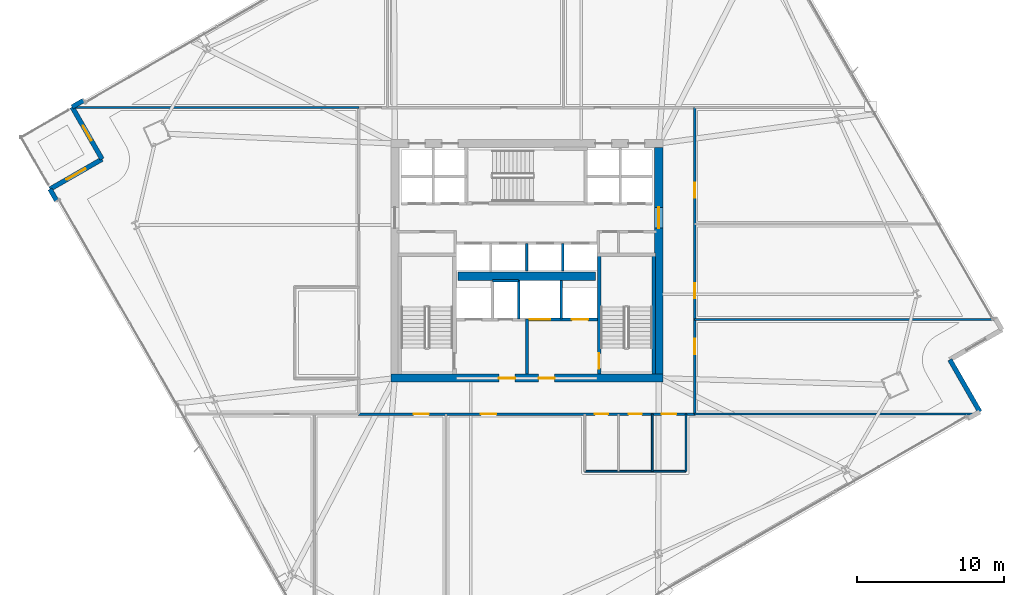
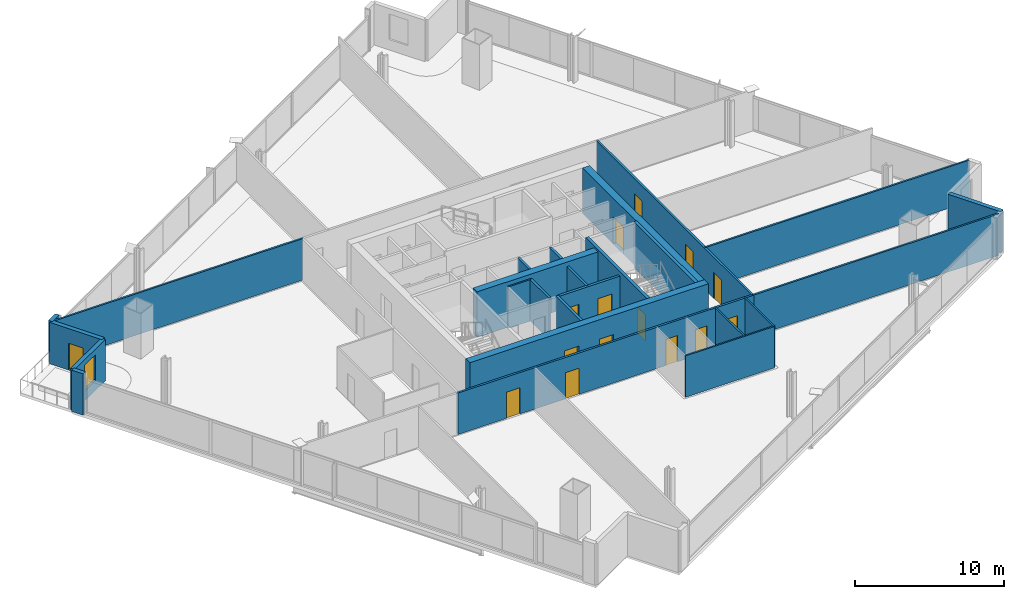
# One storey, part 24 of 33: 25 walls, 15 doors, 1 window, 16 openings.
"""IFC4 building model written with IfcOpenShell, lengths in metres."""

from ifc_helpers import new_model, si_unit, direction, frame, frame_2d, origin, place, context, subcontext, project, spatial, rectangle, extrude, material, layer, layer_set, type_object, element, fill, save


model = new_model("IFC4")

# Units and contexts
model_context = context("Model", 3, precision=1e-05, world=origin(), true_north=direction((0.0, 1.0)))
body_context = subcontext(model_context, "Body", "Model", "MODEL_VIEW")
ifc_project = project(units=[si_unit("LENGTHUNIT", "METRE"), si_unit("AREAUNIT", "SQUARE_METRE"), si_unit("VOLUMEUNIT", "CUBIC_METRE"), si_unit("PLANEANGLEUNIT", "RADIAN"), si_unit("MASSUNIT", "GRAM", prefix="KILO")], contexts=[model_context])

# Site, building, storey
site_placement = place(None, origin())
site = spatial("IfcSite", under=ifc_project, at=site_placement, CompositionType="ELEMENT")
building_placement = place(site_placement, origin())
building = spatial("IfcBuilding", under=site, at=building_placement, Name="Haldenkirk Collegiate Tower", CompositionType="ELEMENT")
storey_placement = place(building_placement, frame((0.0, 0.0, 127.949951171875)))
storey = spatial("IfcBuildingStorey", under=building, at=storey_placement, Name="L31", CompositionType="ELEMENT", Elevation=127.949951171875)

# Wall, openings, doors
ifc_material_1 = material(Name="Concrete f'c 70 MPa", Category="concrete")
ifc_layer_1 = layer(ifc_material_1, 0.550048828125)
ifc_layer_set_1 = layer_set([ifc_layer_1], Name="Concrete f'c 70 MPa")
wall_type_1 = type_object("IfcWallType", Name="WL-CORE-550", PredefinedType="SHEAR", material=ifc_layer_set_1)
wall_1_placement = place(storey_placement, frame((26.72509765625, 18.0, 0.0), z_axis=(0.0, 0.0, 1.0), x_axis=(1.0, 0.0, 0.0)))
wall_1 = element("IfcWall", 1, at=wall_1_placement, inside=storey, type_object=wall_type_1, Name="L31 central core shear wall S", PredefinedType="SHEAR", context=body_context, shape_type="SweptSolid", body=[
    extrude(rectangle(XDim=18.5498046875, YDim=0.550048828125, at=frame_2d((9.27490234375, 0.0))), origin(), (0.0, 0.0, 1.0), 3.75),
])
opening_1_placement = place(wall_1_placement, frame((7.375, 0.0, 0.0)))
opening_1 = element("IfcOpeningElement", 2, at=opening_1_placement, cuts=wall_1, Name="Opening D-02", PredefinedType="OPENING", context=body_context, shape_type="SweptSolid", body=[
    extrude(rectangle(XDim=1.10009765625, YDim=2.14990234375, at=frame_2d((0.550048828125, 1.074951171875))), frame((0.0, 0.284912109375, 0.0), z_axis=(0.0, -1.0, 0.0), x_axis=(1.0, 0.0, 0.0)), (0.0, 0.0, 1.0), 0.570068359375),
])
opening_2_placement = place(wall_1_placement, frame((10.074951171875, 0.0, 0.0)))
opening_2 = element("IfcOpeningElement", 3, at=opening_2_placement, cuts=wall_1, Name="Opening D-02", PredefinedType="OPENING", context=body_context, shape_type="SweptSolid", body=[
    extrude(rectangle(XDim=1.10009765625, YDim=2.14990234375, at=frame_2d((0.550048828125, 1.074951171875))), frame((0.0, 0.284912109375, 0.0), z_axis=(0.0, -1.0, 0.0), x_axis=(1.0, 0.0, 0.0)), (0.0, 0.0, 1.0), 0.570068359375),
])
ifc_material_2 = material(Name="Galvanized fire-rated hollow steel door", Category="steel")
ifc_layer_2 = layer(ifc_material_2, 0.06005859375)
ifc_layer_set_2 = layer_set([ifc_layer_2], Name="Galvanized fire-rated hollow steel door")
door_type_1 = type_object("IfcDoorType", Name="DR-STAIR-FD90-1100", OperationType="NOTDEFINED", PredefinedType="DOOR", material=ifc_layer_set_2)
door_1_placement = place(opening_1_placement, origin())
door_1 = element("IfcDoor", 4, at=door_1_placement, inside=storey, type_object=door_type_1, Name="L31 Firefighting Lobby 1 door", OperationType="SINGLE_SWING_RIGHT", OverallHeight=2.14990234375, OverallWidth=1.10009765625, PredefinedType="DOOR", context=body_context, shape_type="SweptSolid", body=[
    extrude(rectangle(XDim=1.10009765625, YDim=2.14990234375, at=frame_2d((0.550048828125, 1.074951171875))), frame((0.0, 0.02490234375, 0.0), z_axis=(0.0, -1.0, 0.0), x_axis=(1.0, 0.0, 0.0)), (0.0, 0.0, 1.0), 0.050048828125),
])
fill(opening_1, door_1)
door_2_placement = place(opening_2_placement, origin())
door_2 = element("IfcDoor", 5, at=door_2_placement, inside=storey, type_object=door_type_1, Name="L31 Firefighting Lobby 2 door", OperationType="SINGLE_SWING_LEFT", OverallHeight=2.14990234375, OverallWidth=1.10009765625, PredefinedType="DOOR", context=body_context, shape_type="SweptSolid", body=[
    extrude(rectangle(XDim=1.10009765625, YDim=2.14990234375, at=frame_2d((0.550048828125, 1.074951171875))), frame((0.0, 0.02490234375, 0.0), z_axis=(0.0, -1.0, 0.0), x_axis=(1.0, 0.0, 0.0)), (0.0, 0.0, 1.0), 0.050048828125),
])
fill(opening_2, door_2)

# Wall, opening, door
wall_2_placement = place(storey_placement, frame((45.0, 18.27490234375, 0.0), z_axis=(0.0, 0.0, 1.0), x_axis=(0.0, 1.0, 0.0)))
wall_2 = element("IfcWall", 6, at=wall_2_placement, inside=storey, type_object=wall_type_1, Name="L31 central core shear wall E", PredefinedType="SHEAR", context=body_context, shape_type="SweptSolid", body=[
    extrude(rectangle(XDim=15.4501953125, YDim=0.550048828125, at=frame_2d((7.72509765625, 0.0))), origin(), (0.0, 0.0, 1.0), 3.75),
])
opening_3_placement = place(wall_2_placement, frame((9.965087890625, 0.0, 0.0)))
opening_3 = element("IfcOpeningElement", 7, at=opening_3_placement, cuts=wall_2, Name="Opening D-03", PredefinedType="OPENING", context=body_context, shape_type="SweptSolid", body=[
    extrude(rectangle(XDim=1.39990234375, YDim=2.199951171875, at=frame_2d((0.699951171875, 1.10009765625))), frame((0.0, 0.284912109375, 0.0), z_axis=(0.0, -1.0, 0.0), x_axis=(1.0, 0.0, 0.0)), (0.0, 0.0, 1.0), 0.570068359375),
])
ifc_layer_3 = layer(ifc_material_2, 0.06005859375)
ifc_layer_set_3 = layer_set([ifc_layer_3], Name="Galvanized fire-rated hollow steel door")
door_type_2 = type_object("IfcDoorType", Name="DR-LOBBY-FD90-1400", OperationType="NOTDEFINED", PredefinedType="DOOR", material=ifc_layer_set_3)
door_3_placement = place(opening_3_placement, origin())
door_3 = element("IfcDoor", 8, at=door_3_placement, inside=storey, type_object=door_type_2, Name="L31 east lift lobby portal", OperationType="DOUBLE_DOOR_SINGLE_SWING", OverallHeight=2.199951171875, OverallWidth=1.39990234375, PredefinedType="DOOR", context=body_context, shape_type="SweptSolid", body=[
    extrude(rectangle(XDim=1.39990234375, YDim=2.199951171875, at=frame_2d((0.699951171875, 1.10009765625))), frame((0.0, 0.02490234375, 0.0), z_axis=(0.0, -1.0, 0.0), x_axis=(1.0, 0.0, 0.0)), (0.0, 0.0, 1.0), 0.050048828125),
])
fill(opening_3, door_3)

# Walls
wall_3_placement = place(storey_placement, frame((31.31005859375, 24.949951171875, 0.0), z_axis=(0.0, 0.0, 1.0), x_axis=(1.0, 0.0, 0.0)))
element("IfcWall", 9, at=wall_3_placement, inside=storey, type_object=wall_type_1, Name="L31 central core spine shear wall", PredefinedType="SHEAR", context=body_context, shape_type="SweptSolid", body=[
    extrude(rectangle(XDim=9.3798828125, YDim=0.550048828125, at=frame_2d((4.68994140625, 0.0))), origin(), (0.0, 0.0, 1.0), 3.75),
])
ifc_material_3 = material(Name="Precast concrete f'c 40 MPa", Category="concrete")
ifc_layer_4 = layer(ifc_material_3, 0.320068359375)
ifc_layer_set_4 = layer_set([ifc_layer_4], Name="Precast concrete f'c 40 MPa")
wall_type_2 = type_object("IfcWallType", Name="WL-EXT-TWR-320", PredefinedType="STANDARD", material=ifc_layer_set_4)
wall_4_placement = place(storey_placement, frame((64.85009765625, 19.25927734375, 0.0), z_axis=(0.0, 0.0, 1.0), x_axis=(0.498522586698, -0.866876710122, 0.0)))
element("IfcWall", 10, at=wall_4_placement, inside=storey, type_object=wall_type_2, Name="L31 bronze precast notch wall 02", PredefinedType="STANDARD", context=body_context, shape_type="SweptSolid", body=[
    extrude(rectangle(XDim=4.10009765625, YDim=0.320068359375, at=frame_2d((2.050048828125, 0.0))), origin(), (0.0, 0.0, 1.0), 3.400146484375),
])
wall_5_placement = place(storey_placement, frame((4.993896484375, 36.489990234375, 0.0), z_axis=(0.0, 0.0, 1.0), x_axis=(0.866803702948, 0.498649516751, 0.0)))
element("IfcWall", 11, at=wall_5_placement, inside=storey, type_object=wall_type_2, Name="L31 precast corner pier NL", PredefinedType="STANDARD", context=body_context, shape_type="SweptSolid", body=[
    extrude(rectangle(XDim=0.89990234375, YDim=0.320068359375, at=frame_2d((0.449951171875, 0.0))), origin(), (0.0, 0.0, 1.0), 3.400146484375),
])

# Wall, opening, door
wall_6_placement = place(storey_placement, frame((7.03759765625, 32.935791015625, 0.0), z_axis=(0.0, 0.0, 1.0), x_axis=(-0.498477837049, 0.866902443168, 0.0)))
wall_6 = element("IfcWall", 12, at=wall_6_placement, inside=storey, type_object=wall_type_2, Name="L31 bronze precast notch wall 08", PredefinedType="STANDARD", context=body_context, shape_type="SweptSolid", body=[
    extrude(rectangle(XDim=4.099853515625, YDim=0.320068359375, at=frame_2d((2.0498046875, 0.0))), origin(), (0.0, 0.0, 1.0), 3.400146484375),
])
opening_4_placement = place(wall_6_placement, frame((1.47509765625, 0.0, 0.0)))
opening_4 = element("IfcOpeningElement", 13, at=opening_4_placement, cuts=wall_6, Name="Opening D-ST11", PredefinedType="OPENING", context=body_context, shape_type="SweptSolid", body=[
    extrude(rectangle(XDim=1.14990234375, YDim=2.199951171875, at=frame_2d((0.574951171875, 1.10009765625))), frame((0.0, 0.169921875, 0.0), z_axis=(0.0, -1.0, 0.0), x_axis=(1.0, 0.0, 0.0)), (0.0, 0.0, 1.0), 0.340087890625),
])
ifc_material_4 = material(Name="Anodised architectural bronze aluminium", Category="aluminium")
ifc_layer_5 = layer(ifc_material_4, 0.080078125)
ifc_layer_set_5 = layer_set([ifc_layer_5], Name="Anodised architectural bronze aluminium")
door_type_3 = type_object("IfcDoorType", Name="DR-EXT-STER-1150", OperationType="NOTDEFINED", PredefinedType="DOOR", material=ifc_layer_set_5)
door_4_placement = place(opening_4_placement, origin())
door_4 = element("IfcDoor", 14, at=door_4_placement, inside=storey, type_object=door_type_3, Name="L31 spiralling terrace door", OperationType="SINGLE_SWING_RIGHT", OverallHeight=2.199951171875, OverallWidth=1.14990234375, PredefinedType="DOOR", context=body_context, shape_type="SweptSolid", body=[
    extrude(rectangle(XDim=1.14990234375, YDim=2.199951171875, at=frame_2d((0.574951171875, 1.10009765625))), frame((0.0, 0.02490234375, 0.0), z_axis=(0.0, -1.0, 0.0), x_axis=(1.0, 0.0, 0.0)), (0.0, 0.0, 1.0), 0.050048828125),
])
fill(opening_4, door_4)

# Wall, opening, window
wall_7_placement = place(storey_placement, frame((3.4833984375, 30.89208984375, 0.0), z_axis=(0.0, 0.0, 1.0), x_axis=(0.866902443168, 0.498477837049, 0.0)))
wall_7 = element("IfcWall", 15, at=wall_7_placement, inside=storey, type_object=wall_type_2, Name="L31 bronze precast notch wall 09", PredefinedType="STANDARD", context=body_context, shape_type="SweptSolid", body=[
    extrude(rectangle(XDim=4.099853515625, YDim=0.320068359375, at=frame_2d((2.0498046875, 0.0))), origin(), (0.0, 0.0, 1.0), 3.400146484375),
])
opening_5_placement = place(wall_7_placement, frame((1.300048828125, 0.0, 0.85009765625)))
opening_5 = element("IfcOpeningElement", 16, at=opening_5_placement, cuts=wall_7, Name="Opening W-04", PredefinedType="OPENING", context=body_context, shape_type="SweptSolid", body=[
    extrude(rectangle(XDim=1.5, YDim=2.10009765625, at=frame_2d((0.75, 1.050048828125))), frame((0.0, 0.169921875, 0.0), z_axis=(0.0, -1.0, 0.0), x_axis=(1.0, 0.0, 0.0)), (0.0, 0.0, 1.0), 0.340087890625),
])
ifc_material_5 = material(Name="Low-E argon triple insulating glass", Category="glass")
ifc_layer_6 = layer(ifc_material_5, 0.090087890625)
ifc_layer_set_6 = layer_set([ifc_layer_6], Name="Low-E argon triple insulating glass")
window_type = type_object("IfcWindowType", Name="WN-Z2-1500X2100", PartitioningType="SINGLE_PANEL", PredefinedType="WINDOW", material=ifc_layer_set_6)
window_placement = place(opening_5_placement, origin())
window = element("IfcWindow", 17, at=window_placement, inside=storey, type_object=window_type, Name="L31 precast-frame academic window 8", OverallHeight=2.10009765625, OverallWidth=1.5, PartitioningType="SINGLE_PANEL", PredefinedType="WINDOW", context=body_context, shape_type="SweptSolid", body=[
    extrude(rectangle(XDim=1.5, YDim=2.10009765625, at=frame_2d((0.75, 1.050048828125))), frame((0.0, 0.030029296875, 0.0), z_axis=(0.0, -1.0, 0.0), x_axis=(1.0, 0.0, 0.0)), (0.0, 0.0, 1.0), 0.06005859375),
])
fill(opening_5, window)

# Wall
wall_8_placement = place(storey_placement, frame((3.931884765625, 30.11181640625, 0.0), z_axis=(0.0, 0.0, 1.0), x_axis=(-0.498328409329, 0.866988348512, 0.0)))
element("IfcWall", 18, at=wall_8_placement, inside=storey, type_object=wall_type_2, Name="L31 precast corner pier WR", PredefinedType="STANDARD", context=body_context, shape_type="SweptSolid", body=[
    extrude(rectangle(XDim=0.89990234375, YDim=0.320068359375, at=frame_2d((0.449951171875, 0.0))), origin(), (0.0, 0.0, 1.0), 3.400146484375),
])

# Wall, openings, doors
ifc_material_6 = material(Name="Acoustic fire-rated gypsum partition", Category="concrete")
ifc_layer_7 = layer(ifc_material_6, 0.159912109375)
ifc_layer_set_7 = layer_set([ifc_layer_7], Name="Acoustic fire-rated gypsum partition")
wall_type_3 = type_object("IfcWallType", Name="WL-INT-CORR-160", PredefinedType="PARTITIONING", material=ifc_layer_set_7)
wall_9_placement = place(storey_placement, frame((24.5, 15.550048828125, 0.0), z_axis=(0.0, 0.0, 1.0), x_axis=(1.0, 0.0, 0.0)))
wall_9 = element("IfcWall", 19, at=wall_9_placement, inside=storey, type_object=wall_type_3, Name="L31 interior partition IW-L31-CS", PredefinedType="PARTITIONING", context=body_context, shape_type="SweptSolid", body=[
    extrude(rectangle(XDim=23.0, YDim=0.159912109375, at=frame_2d((11.5, 0.0))), origin(), (0.0, 0.0, 1.0), 3.400146484375),
])
opening_6_placement = place(wall_9_placement, frame((16.14990234375, 0.0, 0.0)))
opening_6 = element("IfcOpeningElement", 20, at=opening_6_placement, cuts=wall_9, Name="Opening D-13", PredefinedType="OPENING", context=body_context, shape_type="SweptSolid", body=[
    extrude(rectangle(XDim=0.89990234375, YDim=2.14990234375, at=frame_2d((0.449951171875, 1.074951171875))), frame((0.0, 0.08984375, 0.0), z_axis=(0.0, -1.0, 0.0), x_axis=(1.0, 0.0, 0.0)), (0.0, 0.0, 1.0), 0.179931640625),
])
opening_7_placement = place(wall_9_placement, frame((18.449951171875, 0.0, 0.0)))
opening_7 = element("IfcOpeningElement", 21, at=opening_7_placement, cuts=wall_9, Name="Opening D-13", PredefinedType="OPENING", context=body_context, shape_type="SweptSolid", body=[
    extrude(rectangle(XDim=0.89990234375, YDim=2.14990234375, at=frame_2d((0.449951171875, 1.074951171875))), frame((0.0, 0.08984375, 0.0), z_axis=(0.0, -1.0, 0.0), x_axis=(1.0, 0.0, 0.0)), (0.0, 0.0, 1.0), 0.179931640625),
])
opening_8_placement = place(wall_9_placement, frame((20.699951171875, 0.0, 0.0)))
opening_8 = element("IfcOpeningElement", 22, at=opening_8_placement, cuts=wall_9, Name="Opening D-14", PredefinedType="OPENING", context=body_context, shape_type="SweptSolid", body=[
    extrude(rectangle(XDim=1.0, YDim=2.14990234375, at=frame_2d((0.5, 1.074951171875))), frame((0.0, 0.08984375, 0.0), z_axis=(0.0, -1.0, 0.0), x_axis=(1.0, 0.0, 0.0)), (0.0, 0.0, 1.0), 0.179931640625),
])
opening_9_placement = place(wall_9_placement, frame((3.781005859375, 0.0, 0.0)))
opening_9 = element("IfcOpeningElement", 23, at=opening_9_placement, cuts=wall_9, Name="Opening D-09", PredefinedType="OPENING", context=body_context, shape_type="SweptSolid", body=[
    extrude(rectangle(XDim=1.050048828125, YDim=2.14990234375, at=frame_2d((0.52490234375, 1.074951171875))), frame((0.0, 0.08984375, 0.0), z_axis=(0.0, -1.0, 0.0), x_axis=(1.0, 0.0, 0.0)), (0.0, 0.0, 1.0), 0.179931640625),
])
opening_10_placement = place(wall_9_placement, frame((8.373046875, 0.0, 0.0)))
opening_10 = element("IfcOpeningElement", 24, at=opening_10_placement, cuts=wall_9, Name="Opening D-09", PredefinedType="OPENING", context=body_context, shape_type="SweptSolid", body=[
    extrude(rectangle(XDim=1.050048828125, YDim=2.14990234375, at=frame_2d((0.52490234375, 1.074951171875))), frame((0.0, 0.08984375, 0.0), z_axis=(0.0, -1.0, 0.0), x_axis=(1.0, 0.0, 0.0)), (0.0, 0.0, 1.0), 0.179931640625),
])
ifc_material_7 = material(Name="Solid-core architectural oak fire door", Category="wood")
ifc_layer_8 = layer(ifc_material_7, 0.06005859375)
ifc_layer_set_8 = layer_set([ifc_layer_8], Name="Solid-core architectural oak fire door")
door_type_4 = type_object("IfcDoorType", Name="DR-INT-ACC-1000", OperationType="NOTDEFINED", PredefinedType="DOOR", material=ifc_layer_set_8)
door_5_placement = place(opening_8_placement, origin())
door_5 = element("IfcDoor", 25, at=door_5_placement, inside=storey, type_object=door_type_4, Name="L31 Accessible WC door", OperationType="SINGLE_SWING_LEFT", OverallHeight=2.14990234375, OverallWidth=1.0, PredefinedType="DOOR", context=body_context, shape_type="SweptSolid", body=[
    extrude(rectangle(XDim=1.0, YDim=2.14990234375, at=frame_2d((0.5, 1.074951171875))), frame((0.0, 0.02490234375, 0.0), z_axis=(0.0, -1.0, 0.0), x_axis=(1.0, 0.0, 0.0)), (0.0, 0.0, 1.0), 0.050048828125),
])
fill(opening_8, door_5)
ifc_layer_9 = layer(ifc_material_7, 0.06005859375)
ifc_layer_set_9 = layer_set([ifc_layer_9], Name="Solid-core architectural oak fire door")
door_type_5 = type_object("IfcDoorType", Name="DR-INT-FD60-1050", OperationType="NOTDEFINED", PredefinedType="DOOR", material=ifc_layer_set_9)
door_6_placement = place(opening_9_placement, origin())
door_6 = element("IfcDoor", 26, at=door_6_placement, inside=storey, type_object=door_type_5, Name="L31 Academic Counseling Clinic 2 door", OperationType="SINGLE_SWING_LEFT", OverallHeight=2.14990234375, OverallWidth=1.050048828125, PredefinedType="DOOR", context=body_context, shape_type="SweptSolid", body=[
    extrude(rectangle(XDim=1.050048828125, YDim=2.14990234375, at=frame_2d((0.52490234375, 1.074951171875))), frame((0.0, 0.02490234375, 0.0), z_axis=(0.0, -1.0, 0.0), x_axis=(1.0, 0.0, 0.0)), (0.0, 0.0, 1.0), 0.050048828125),
])
fill(opening_9, door_6)
door_7_placement = place(opening_10_placement, origin())
door_7 = element("IfcDoor", 27, at=door_7_placement, inside=storey, type_object=door_type_5, Name="L31 Ergonomics Clinic 3 door", OperationType="SINGLE_SWING_RIGHT", OverallHeight=2.14990234375, OverallWidth=1.050048828125, PredefinedType="DOOR", context=body_context, shape_type="SweptSolid", body=[
    extrude(rectangle(XDim=1.050048828125, YDim=2.14990234375, at=frame_2d((0.52490234375, 1.074951171875))), frame((0.0, 0.02490234375, 0.0), z_axis=(0.0, -1.0, 0.0), x_axis=(1.0, 0.0, 0.0)), (0.0, 0.0, 1.0), 0.050048828125),
])
fill(opening_10, door_7)
ifc_layer_10 = layer(ifc_material_7, 0.06005859375)
ifc_layer_set_10 = layer_set([ifc_layer_10], Name="Solid-core architectural oak fire door")
door_type_6 = type_object("IfcDoorType", Name="DR-INT-STD-900", OperationType="NOTDEFINED", PredefinedType="DOOR", material=ifc_layer_set_10)
door_8_placement = place(opening_6_placement, origin())
door_8 = element("IfcDoor", 28, at=door_8_placement, inside=storey, type_object=door_type_6, Name="L31 Male WC door", OperationType="SINGLE_SWING_LEFT", OverallHeight=2.14990234375, OverallWidth=0.89990234375, PredefinedType="DOOR", context=body_context, shape_type="SweptSolid", body=[
    extrude(rectangle(XDim=0.89990234375, YDim=2.14990234375, at=frame_2d((0.449951171875, 1.074951171875))), frame((0.0, 0.02490234375, 0.0), z_axis=(0.0, -1.0, 0.0), x_axis=(1.0, 0.0, 0.0)), (0.0, 0.0, 1.0), 0.050048828125),
])
fill(opening_6, door_8)
door_9_placement = place(opening_7_placement, origin())
door_9 = element("IfcDoor", 29, at=door_9_placement, inside=storey, type_object=door_type_6, Name="L31 Female WC door", OperationType="SINGLE_SWING_RIGHT", OverallHeight=2.14990234375, OverallWidth=0.89990234375, PredefinedType="DOOR", context=body_context, shape_type="SweptSolid", body=[
    extrude(rectangle(XDim=0.89990234375, YDim=2.14990234375, at=frame_2d((0.449951171875, 1.074951171875))), frame((0.0, 0.02490234375, 0.0), z_axis=(0.0, -1.0, 0.0), x_axis=(1.0, 0.0, 0.0)), (0.0, 0.0, 1.0), 0.050048828125),
])
fill(opening_7, door_9)

wall_10_placement = place(storey_placement, frame((47.449951171875, 15.550048828125, 0.0), z_axis=(0.0, 0.0, 1.0), x_axis=(0.0, 1.0, 0.0)))
wall_10 = element("IfcWall", 30, at=wall_10_placement, inside=storey, type_object=wall_type_3, Name="L31 interior partition IW-L31-CE", PredefinedType="PARTITIONING", context=body_context, shape_type="SweptSolid", body=[
    extrude(rectangle(XDim=20.89990234375, YDim=0.159912109375, at=frame_2d((10.449951171875, 0.0))), origin(), (0.0, 0.0, 1.0), 3.400146484375),
])
opening_11_placement = place(wall_10_placement, frame((4.0869140625, 0.0, 0.0)))
opening_11 = element("IfcOpeningElement", 31, at=opening_11_placement, cuts=wall_10, Name="Opening D-09", PredefinedType="OPENING", context=body_context, shape_type="SweptSolid", body=[
    extrude(rectangle(XDim=1.050048828125, YDim=2.14990234375, at=frame_2d((0.52490234375, 1.074951171875))), frame((0.0, 0.08984375, 0.0), z_axis=(0.0, -1.0, 0.0), x_axis=(1.0, 0.0, 0.0)), (0.0, 0.0, 1.0), 0.179931640625),
])
opening_12_placement = place(wall_10_placement, frame((7.885009765625, 0.0, 0.0)))
opening_12 = element("IfcOpeningElement", 32, at=opening_12_placement, cuts=wall_10, Name="Opening D-09", PredefinedType="OPENING", context=body_context, shape_type="SweptSolid", body=[
    extrude(rectangle(XDim=1.050048828125, YDim=2.14990234375, at=frame_2d((0.52490234375, 1.074951171875))), frame((0.0, 0.08984375, 0.0), z_axis=(0.0, -1.0, 0.0), x_axis=(1.0, 0.0, 0.0)), (0.0, 0.0, 1.0), 0.179931640625),
])
opening_13_placement = place(wall_10_placement, frame((14.742919921875, 0.0, 0.0)))
opening_13 = element("IfcOpeningElement", 33, at=opening_13_placement, cuts=wall_10, Name="Opening D-09", PredefinedType="OPENING", context=body_context, shape_type="SweptSolid", body=[
    extrude(rectangle(XDim=1.050048828125, YDim=2.14990234375, at=frame_2d((0.52490234375, 1.074951171875))), frame((0.0, 0.08984375, 0.0), z_axis=(0.0, -1.0, 0.0), x_axis=(1.0, 0.0, 0.0)), (0.0, 0.0, 1.0), 0.179931640625),
])
door_10_placement = place(opening_11_placement, origin())
door_10 = element("IfcDoor", 34, at=door_10_placement, inside=storey, type_object=door_type_5, Name="L31 Academic Counseling Clinic 8 door", OperationType="SINGLE_SWING_LEFT", OverallHeight=2.14990234375, OverallWidth=1.050048828125, PredefinedType="DOOR", context=body_context, shape_type="SweptSolid", body=[
    extrude(rectangle(XDim=1.050048828125, YDim=2.14990234375, at=frame_2d((0.52490234375, 1.074951171875))), frame((0.0, 0.02490234375, 0.0), z_axis=(0.0, -1.0, 0.0), x_axis=(1.0, 0.0, 0.0)), (0.0, 0.0, 1.0), 0.050048828125),
])
fill(opening_11, door_10)
door_11_placement = place(opening_12_placement, origin())
door_11 = element("IfcDoor", 35, at=door_11_placement, inside=storey, type_object=door_type_5, Name="L31 Ergonomics Clinic 9 door", OperationType="SINGLE_SWING_RIGHT", OverallHeight=2.14990234375, OverallWidth=1.050048828125, PredefinedType="DOOR", context=body_context, shape_type="SweptSolid", body=[
    extrude(rectangle(XDim=1.050048828125, YDim=2.14990234375, at=frame_2d((0.52490234375, 1.074951171875))), frame((0.0, 0.02490234375, 0.0), z_axis=(0.0, -1.0, 0.0), x_axis=(1.0, 0.0, 0.0)), (0.0, 0.0, 1.0), 0.050048828125),
])
fill(opening_12, door_11)
door_12_placement = place(opening_13_placement, origin())
door_12 = element("IfcDoor", 36, at=door_12_placement, inside=storey, type_object=door_type_5, Name="L31 Occupational Health Clinic 10 door", OperationType="SINGLE_SWING_LEFT", OverallHeight=2.14990234375, OverallWidth=1.050048828125, PredefinedType="DOOR", context=body_context, shape_type="SweptSolid", body=[
    extrude(rectangle(XDim=1.050048828125, YDim=2.14990234375, at=frame_2d((0.52490234375, 1.074951171875))), frame((0.0, 0.02490234375, 0.0), z_axis=(0.0, -1.0, 0.0), x_axis=(1.0, 0.0, 0.0)), (0.0, 0.0, 1.0), 0.050048828125),
])
fill(opening_13, door_12)

# Walls
ifc_layer_11 = layer(ifc_material_6, 0.139892578125)
ifc_layer_set_11 = layer_set([ifc_layer_11], Name="Acoustic fire-rated gypsum partition")
wall_type_4 = type_object("IfcWallType", Name="WL-INT-DIV-140", PredefinedType="PARTITIONING", material=ifc_layer_set_11)
wall_11_placement = place(storey_placement, frame((5.06298828125, 36.449951171875, 0.0), z_axis=(0.0, 0.0, 1.0), x_axis=(1.0, 0.0, 0.0)))
element("IfcWall", 37, at=wall_11_placement, inside=storey, type_object=wall_type_4, Name="L31 interior partition IW-L31-BWN", PredefinedType="PARTITIONING", context=body_context, shape_type="SweptSolid", body=[
    extrude(rectangle(XDim=19.487060546875, YDim=0.139892578125, at=frame_2d((9.74365234375, 0.0))), origin(), (0.0, 0.0, 1.0), 3.400146484375),
])
wall_12_placement = place(storey_placement, frame((47.449951171875, 15.550048828125, 0.0), z_axis=(0.0, 0.0, 1.0), x_axis=(1.0, 0.0, 0.0)))
element("IfcWall", 38, at=wall_12_placement, inside=storey, type_object=wall_type_4, Name="L31 interior partition IW-L31-BES", PredefinedType="PARTITIONING", context=body_context, shape_type="SweptSolid", body=[
    extrude(rectangle(XDim=19.09423828125, YDim=0.139892578125, at=frame_2d((9.547119140625, 0.0))), origin(), (0.0, 0.0, 1.0), 3.400146484375),
])
wall_13_placement = place(storey_placement, frame((47.449951171875, 22.0, 0.0), z_axis=(0.0, 0.0, 1.0), x_axis=(1.0, 0.0, 0.0)))
element("IfcWall", 39, at=wall_13_placement, inside=storey, type_object=wall_type_4, Name="L31 interior partition IW-L31-RE1", PredefinedType="PARTITIONING", context=body_context, shape_type="SweptSolid", body=[
    extrude(rectangle(XDim=20.507568359375, YDim=0.139892578125, at=frame_2d((10.25390625, 0.0))), origin(), (0.0, 0.0, 1.0), 3.400146484375),
])
ifc_material_8 = material(Name="Fire-rated gypsum shaftboard assembly", Category="concrete")
ifc_layer_12 = layer(ifc_material_8, 0.179931640625)
ifc_layer_set_12 = layer_set([ifc_layer_12], Name="Fire-rated gypsum shaftboard assembly")
wall_type_5 = type_object("IfcWallType", Name="WL-INT-SHAFT-180", PredefinedType="PARTITIONING", material=ifc_layer_set_12)
wall_14_placement = place(storey_placement, frame((35.449951171875, 22.050048828125, 0.0), z_axis=(0.0, 0.0, 1.0), x_axis=(0.0, 1.0, 0.0)))
element("IfcWall", 40, at=wall_14_placement, inside=storey, type_object=wall_type_5, Name="L31 interior partition IW-L31-GL1W", PredefinedType="PARTITIONING", context=body_context, shape_type="SweptSolid", body=[
    extrude(rectangle(XDim=2.599853515625, YDim=0.179931640625, at=frame_2d((1.2998046875, 0.0))), origin(), (0.0, 0.0, 1.0), 3.400146484375),
])
wall_15_placement = place(storey_placement, frame((33.64990234375, 24.64990234375, 0.0), z_axis=(0.0, 0.0, 1.0), x_axis=(1.0, 0.0, 0.0)))
element("IfcWall", 41, at=wall_15_placement, inside=storey, type_object=wall_type_5, Name="L31 interior partition IW-L31-RSRN", PredefinedType="PARTITIONING", context=body_context, shape_type="SweptSolid", body=[
    extrude(rectangle(XDim=1.800048828125, YDim=0.179931640625, at=frame_2d((0.89990234375, 0.0))), origin(), (0.0, 0.0, 1.0), 3.400146484375),
])
wall_16_placement = place(storey_placement, frame((38.35009765625, 22.050048828125, 0.0), z_axis=(0.0, 0.0, 1.0), x_axis=(0.0, 1.0, 0.0)))
element("IfcWall", 42, at=wall_16_placement, inside=storey, type_object=wall_type_5, Name="L31 interior partition IW-L31-GL1E", PredefinedType="PARTITIONING", context=body_context, shape_type="SweptSolid", body=[
    extrude(rectangle(XDim=2.599853515625, YDim=0.179931640625, at=frame_2d((1.2998046875, 0.0))), origin(), (0.0, 0.0, 1.0), 3.400146484375),
])
for number, where, z_axis, x_axis, name in (
    (43, (36.0, 25.300048828125, 0.0), (0.0, 0.0, 1.0), (0.0, 1.0, 0.0), "L31 interior partition IW-L31-PHV2"),
    (44, (38.4599609375, 25.300048828125, 0.0), (0.0, 0.0, 1.0), (0.0, 1.0, 0.0), "L31 interior partition IW-L31-PHV3"),
):
    element("IfcWall", number, at=place(storey_placement, frame(where, z_axis=z_axis, x_axis=x_axis)), inside=storey, type_object=wall_type_5, Name=name, PredefinedType="PARTITIONING", context=body_context, shape_type="SweptSolid", body=[
        extrude(rectangle(XDim=1.89990234375, YDim=0.179931640625, at=frame_2d((0.949951171875, 0.0))), origin(), (0.0, 0.0, 1.0), 3.400146484375),
    ])
ifc_layer_13 = layer(ifc_material_8, 0.199951171875)
ifc_layer_set_13 = layer_set([ifc_layer_13], Name="Fire-rated gypsum shaftboard assembly")
wall_type_6 = type_object("IfcWallType", Name="WL-INT-SHAFT-200", PredefinedType="PARTITIONING", material=ifc_layer_set_13)
wall_17_placement = place(storey_placement, frame((36.0, 18.280029296875, 0.0), z_axis=(0.0, 0.0, 1.0), x_axis=(0.0, 1.0, 0.0)))
element("IfcWall", 45, at=wall_17_placement, inside=storey, type_object=wall_type_6, Name="L31 interior partition IW-L31-FFLM", PredefinedType="PARTITIONING", context=body_context, shape_type="SweptSolid", body=[
    extrude(rectangle(XDim=3.77001953125, YDim=0.199951171875, at=frame_2d((1.885009765625, 0.0))), origin(), (0.0, 0.0, 1.0), 3.400146484375),
])

# Wall, openings, doors
wall_18_placement = place(storey_placement, frame((36.1201171875, 22.0, 0.0), z_axis=(0.0, 0.0, 1.0), x_axis=(1.0, 0.0, 0.0)))
wall_18 = element("IfcWall", 46, at=wall_18_placement, inside=storey, type_object=wall_type_6, Name="L31 interior partition IW-L31-FFL2N", PredefinedType="PARTITIONING", context=body_context, shape_type="SweptSolid", body=[
    extrude(rectangle(XDim=4.68994140625, YDim=0.199951171875, at=frame_2d((2.344970703125, 0.0))), origin(), (0.0, 0.0, 1.0), 3.400146484375),
])
opening_14_placement = place(wall_18_placement, frame((2.955078125, 0.0, 0.0)))
opening_14 = element("IfcOpeningElement", 47, at=opening_14_placement, cuts=wall_18, Name="Opening LD-12", PredefinedType="OPENING", context=body_context, shape_type="SweptSolid", body=[
    extrude(rectangle(XDim=1.10009765625, YDim=2.14990234375, at=frame_2d((0.550048828125, 1.074951171875))), frame((0.0, 0.10986328125, 0.0), z_axis=(0.0, -1.0, 0.0), x_axis=(1.0, 0.0, 0.0)), (0.0, 0.0, 1.0), 0.219970703125),
])
opening_15_placement = place(wall_18_placement, frame((0.080078125, 0.0, 0.0)))
opening_15 = element("IfcOpeningElement", 48, at=opening_15_placement, cuts=wall_18, Name="Opening LD-13", PredefinedType="OPENING", context=body_context, shape_type="SweptSolid", body=[
    extrude(rectangle(XDim=1.39990234375, YDim=2.199951171875, at=frame_2d((0.699951171875, 1.10009765625))), frame((0.0, 0.10986328125, 0.0), z_axis=(0.0, -1.0, 0.0), x_axis=(1.0, 0.0, 0.0)), (0.0, 0.0, 1.0), 0.219970703125),
])
ifc_material_9 = material(Name="Brushed architectural stainless steel", Category="steel")
ifc_layer_14 = layer(ifc_material_9, 0.06005859375)
ifc_layer_set_14 = layer_set([ifc_layer_14], Name="Brushed architectural stainless steel")
door_type_7 = type_object("IfcDoorType", Name="LD-FIRE-1100", OperationType="NOTDEFINED", PredefinedType="DOOR", material=ifc_layer_set_14)
door_13_placement = place(opening_14_placement, origin())
door_13 = element("IfcDoor", 49, at=door_13_placement, inside=storey, type_object=door_type_7, Name="L31 Elevator FL2 sliding landing door", OperationType="SLIDING_TO_LEFT", OverallHeight=2.14990234375, OverallWidth=1.10009765625, PredefinedType="DOOR", context=body_context, shape_type="SweptSolid", body=[
    extrude(rectangle(XDim=1.10009765625, YDim=2.14990234375, at=frame_2d((0.550048828125, 1.074951171875))), frame((0.0, 0.02490234375, 0.0), z_axis=(0.0, -1.0, 0.0), x_axis=(1.0, 0.0, 0.0)), (0.0, 0.0, 1.0), 0.050048828125),
])
fill(opening_14, door_13)
ifc_layer_15 = layer(ifc_material_9, 0.06005859375)
ifc_layer_set_15 = layer_set([ifc_layer_15], Name="Brushed architectural stainless steel")
door_type_8 = type_object("IfcDoorType", Name="LD-GOODS-1400", OperationType="NOTDEFINED", PredefinedType="DOOR", material=ifc_layer_set_15)
door_14_placement = place(opening_15_placement, origin())
door_14 = element("IfcDoor", 50, at=door_14_placement, inside=storey, type_object=door_type_8, Name="L31 Elevator GL1 sliding landing door", OperationType="SLIDING_TO_LEFT", OverallHeight=2.199951171875, OverallWidth=1.39990234375, PredefinedType="DOOR", context=body_context, shape_type="SweptSolid", body=[
    extrude(rectangle(XDim=1.39990234375, YDim=2.199951171875, at=frame_2d((0.699951171875, 1.10009765625))), frame((0.0, 0.02490234375, 0.0), z_axis=(0.0, -1.0, 0.0), x_axis=(1.0, 0.0, 0.0)), (0.0, 0.0, 1.0), 0.050048828125),
])
fill(opening_15, door_14)

# Walls
ifc_layer_16 = layer(ifc_material_6, 0.1201171875)
ifc_layer_set_16 = layer_set([ifc_layer_16], Name="Acoustic fire-rated gypsum partition")
wall_type_7 = type_object("IfcWallType", Name="WL-INT-WET-120", PredefinedType="PARTITIONING", material=ifc_layer_set_16)
for number, where, z_axis, x_axis, name in (
    (51, (44.550048828125, 11.64990234375, 0.0), (0.0, 0.0, 1.0), (0.0, 1.0, 0.0), "L31 interior partition IW-L31-WC2"),
    (52, (46.85009765625, 11.64990234375, 0.0), (0.0, 0.0, 1.0), (0.0, 1.0, 0.0), "L31 interior partition IW-L31-WCE"),
):
    element("IfcWall", number, at=place(storey_placement, frame(where, z_axis=z_axis, x_axis=x_axis)), inside=storey, type_object=wall_type_7, Name=name, PredefinedType="PARTITIONING", context=body_context, shape_type="SweptSolid", body=[
        extrude(rectangle(XDim=3.900146484375, YDim=0.1201171875, at=frame_2d((1.9501953125, 0.0))), origin(), (0.0, 0.0, 1.0), 3.400146484375),
    ])
wall_19_placement = place(storey_placement, frame((39.949951171875, 11.64990234375, 0.0), z_axis=(0.0, 0.0, 1.0), x_axis=(1.0, 0.0, 0.0)))
element("IfcWall", 53, at=wall_19_placement, inside=storey, type_object=wall_type_7, Name="L31 interior partition IW-L31-WCB", PredefinedType="PARTITIONING", context=body_context, shape_type="SweptSolid", body=[
    extrude(rectangle(XDim=6.900146484375, YDim=0.1201171875, at=frame_2d((3.4501953125, 0.0))), origin(), (0.0, 0.0, 1.0), 3.400146484375),
])

# Wall, opening, door
ifc_material_10 = material(Name="Concrete f'c 55 MPa", Category="concrete")
ifc_layer_17 = layer(ifc_material_10, 0.239990234375)
ifc_layer_set_17 = layer_set([ifc_layer_17], Name="Concrete f'c 55 MPa")
wall_type_8 = type_object("IfcWallType", Name="WL-SHAFT-240", PredefinedType="SHEAR", material=ifc_layer_set_17)
wall_20_placement = place(storey_placement, frame((40.929931640625, 18.280029296875, 0.0), z_axis=(0.0, 0.0, 1.0), x_axis=(0.0, 1.0, 0.0)))
wall_20 = element("IfcWall", 54, at=wall_20_placement, inside=storey, type_object=wall_type_8, Name="L31 stair shaft shear wall SW-L31-ST2W", PredefinedType="SHEAR", context=body_context, shape_type="SweptSolid", body=[
    extrude(rectangle(XDim=8.260009765625, YDim=0.239990234375, at=frame_2d((4.1298828125, 0.0))), origin(), (0.0, 0.0, 1.0), 3.75),
])
opening_16_placement = place(wall_20_placement, frame((0.364990234375, 0.0, 0.0)))
opening_16 = element("IfcOpeningElement", 55, at=opening_16_placement, cuts=wall_20, Name="Opening D-01", PredefinedType="OPENING", context=body_context, shape_type="SweptSolid", body=[
    extrude(rectangle(XDim=1.050048828125, YDim=2.14990234375, at=frame_2d((0.52490234375, 1.074951171875))), frame((0.0, 0.1298828125, 0.0), z_axis=(0.0, -1.0, 0.0), x_axis=(1.0, 0.0, 0.0)), (0.0, 0.0, 1.0), 0.260009765625),
])
ifc_layer_18 = layer(ifc_material_2, 0.06005859375)
ifc_layer_set_18 = layer_set([ifc_layer_18], Name="Galvanized fire-rated hollow steel door")
door_type_9 = type_object("IfcDoorType", Name="DR-STAIR-FD90-1050", OperationType="NOTDEFINED", PredefinedType="DOOR", material=ifc_layer_set_18)
door_15_placement = place(opening_16_placement, origin())
door_15 = element("IfcDoor", 56, at=door_15_placement, inside=storey, type_object=door_type_9, Name="L31 Stair 2 door", OperationType="SINGLE_SWING_RIGHT", OverallHeight=2.14990234375, OverallWidth=1.050048828125, PredefinedType="DOOR", context=body_context, shape_type="SweptSolid", body=[
    extrude(rectangle(XDim=1.050048828125, YDim=2.14990234375, at=frame_2d((0.52490234375, 1.074951171875))), frame((0.0, 0.02490234375, 0.0), z_axis=(0.0, -1.0, 0.0), x_axis=(1.0, 0.0, 0.0)), (0.0, 0.0, 1.0), 0.050048828125),
])
fill(opening_16, door_15)

# Wall
wall_21_placement = place(storey_placement, frame((44.669921875, 18.280029296875, 0.0), z_axis=(0.0, 0.0, 1.0), x_axis=(0.0, 1.0, 0.0)))
element("IfcWall", 57, at=wall_21_placement, inside=storey, type_object=wall_type_8, Name="L31 stair shaft shear wall SW-L31-ST2E", PredefinedType="SHEAR", context=body_context, shape_type="SweptSolid", body=[
    extrude(rectangle(XDim=8.260009765625, YDim=0.239990234375, at=frame_2d((4.1298828125, 0.0))), origin(), (0.0, 0.0, 1.0), 3.75),
])

save(model, "model.ifc")
